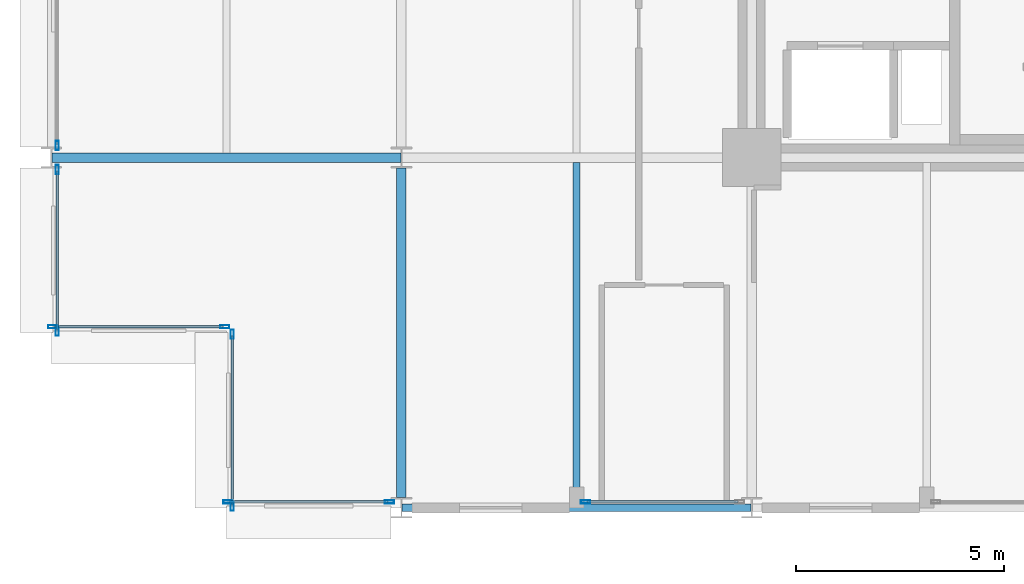
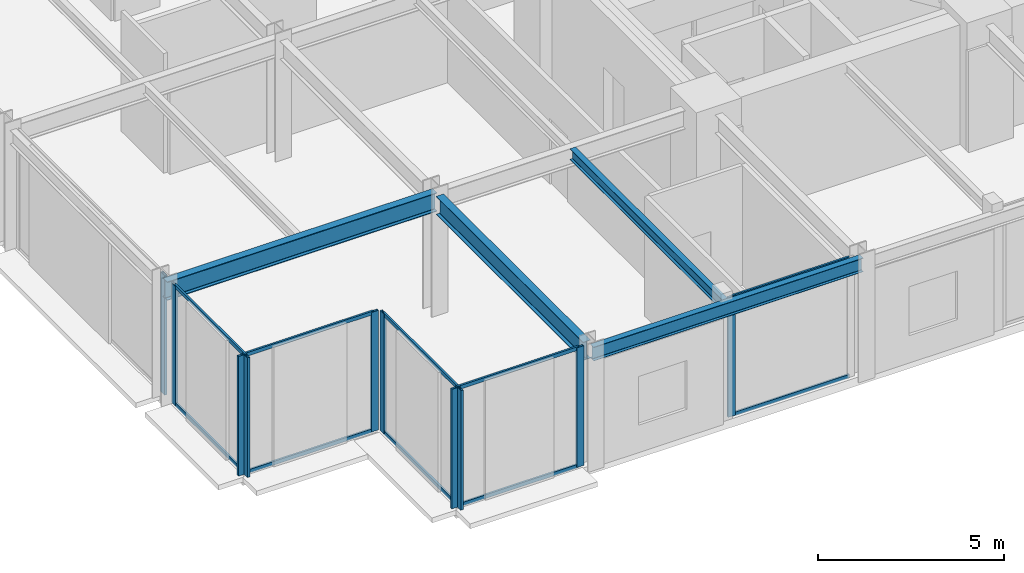
# One storey, part 2 of 25: 20 members, 4 beams, 6 elements without a shape of their own.
"""IFC4 building model written with IfcOpenShell, lengths in metres."""

from ifc_helpers import new_model, si_unit, direction, frame, origin, origin_2d, place, context, subcontext, project, spatial, hollow_rectangle, i_section, extrude, material, layer, layer_set, material_profile, profile_set, type_object, element, aggregate, save


model = new_model("IFC4")

# Units and contexts
model_context = context("Model", 3, precision=1e-05, world=origin(), true_north=direction((0.0, 1.0)))
body_context = subcontext(model_context, "Body", "Model", "MODEL_VIEW")
ifc_project = project(units=[si_unit("LENGTHUNIT", "METRE"), si_unit("AREAUNIT", "SQUARE_METRE"), si_unit("VOLUMEUNIT", "CUBIC_METRE"), si_unit("PLANEANGLEUNIT", "RADIAN"), si_unit("MASSUNIT", "GRAM", prefix="KILO")], contexts=[model_context])

# Site, building, storey
site_placement = place(None, origin())
site = spatial("IfcSite", under=ifc_project, at=site_placement, CompositionType="ELEMENT")
building_placement = place(site_placement, origin())
building = spatial("IfcBuilding", under=site, at=building_placement, Name="Nerrivon Quay Data Exchange", CompositionType="ELEMENT")
storey_placement = place(building_placement, frame((0.0, 0.0, 24.800048828125)))
storey = spatial("IfcBuildingStorey", under=building, at=storey_placement, Name="L05", CompositionType="ELEMENT", Elevation=24.800048828125)

# Beams
ifc_material_1 = material(Name="Steel Grade 350", Category="steel")
ifc_material_profile_1 = material_profile(ifc_material_1, i_section(OverallWidth=0.22900390625, OverallDepth=0.612060546875, WebThickness=0.011962890625, FlangeThickness=0.01953125, FilletRadius=0.013916015625, at=origin_2d()), Name="610UB125")
ifc_profile_set_1 = profile_set([ifc_material_profile_1], Name="Steel Grade 350")
beam_type_1 = type_object("IfcBeamType", Name="BM-G1-610UB125", PredefinedType="BEAM", material=ifc_profile_set_1)
beam_1_placement = place(storey_placement, frame((0.013916015625, 8.39990234375, 3.618896484375), z_axis=(1.0, 0.0, 0.0), x_axis=(0.0, 1.0, 0.0)))
element("IfcBeam", 1, at=beam_1_placement, inside=storey, type_object=beam_type_1, Name="L05 EW Girder Y=8.4 (0.0..8.4)", PredefinedType="BEAM", context=body_context, shape_type="SweptSolid", body=[
    extrude(i_section(OverallWidth=0.22900390625, OverallDepth=0.612060546875, WebThickness=0.011962890625, FlangeThickness=0.01953125, FilletRadius=0.013916015625, at=origin_2d()), origin(), (0.0, 0.0, 1.0), 8.3720703125),
])
ifc_material_profile_2 = material_profile(ifc_material_1, i_section(OverallWidth=0.22802734375, OverallDepth=0.60205078125, WebThickness=0.010498046875, FlangeThickness=0.014892578125, FilletRadius=0.013916015625, at=origin_2d()), Name="610UB101")
ifc_profile_set_2 = profile_set([ifc_material_profile_2], Name="Steel Grade 350")
beam_type_2 = type_object("IfcBeamType", Name="BM-G2-610UB101", PredefinedType="BEAM", material=ifc_profile_set_2)
beam_2_placement = place(storey_placement, frame((8.39990234375, 0.25, 3.6240234375), z_axis=(0.0, 1.0, 0.0), x_axis=(-1.0, 0.0, 0.0)))
element("IfcBeam", 2, at=beam_2_placement, inside=storey, type_object=beam_type_2, Name="L05 NS Girder X=8.4 (0.0..8.4)", PredefinedType="BEAM", context=body_context, shape_type="SweptSolid", body=[
    extrude(i_section(OverallWidth=0.22802734375, OverallDepth=0.60205078125, WebThickness=0.010498046875, FlangeThickness=0.014892578125, FilletRadius=0.013916015625, at=origin_2d()), origin(), (0.0, 0.0, 1.0), 7.89990234375),
])
ifc_material_profile_3 = material_profile(ifc_material_1, i_section(OverallWidth=0.172119140625, OverallDepth=0.35888671875, WebThickness=0.008056640625, FlangeThickness=0.012939453125, FilletRadius=0.011474609375, at=origin_2d()), Name="360UB56.7")
ifc_profile_set_3 = profile_set([ifc_material_profile_3], Name="Steel Grade 350")
beam_type_3 = type_object("IfcBeamType", Name="BM-J3-360UB57", PredefinedType="JOIST", material=ifc_profile_set_3)
beam_3_placement = place(storey_placement, frame((12.60009765625, 0.094970703125, 3.745361328125), z_axis=(0.0, 1.0, 0.0), x_axis=(-1.0, 0.0, 0.0)))
element("IfcBeam", 3, at=beam_3_placement, inside=storey, type_object=beam_type_3, Name="L05 Secondary Joist X=12.6 (0.0..8.4)", PredefinedType="JOIST", context=body_context, shape_type="SweptSolid", body=[
    extrude(i_section(OverallWidth=0.172119140625, OverallDepth=0.35888671875, WebThickness=0.008056640625, FlangeThickness=0.012939453125, FilletRadius=0.011474609375, at=origin_2d()), origin(), (0.0, 0.0, 1.0), 8.1904296875),
])
ifc_material_profile_4 = material_profile(ifc_material_1, i_section(OverallWidth=0.18994140625, OverallDepth=0.4541015625, WebThickness=0.008544921875, FlangeThickness=0.0126953125, FilletRadius=0.011474609375, at=origin_2d()), Name="460UB67.1")
ifc_profile_set_4 = profile_set([ifc_material_profile_4], Name="Steel Grade 350")
beam_type_4 = type_object("IfcBeamType", Name="BM-SP1-460UB67", PredefinedType="SPANDREL", material=ifc_profile_set_4)
beam_4_placement = place(storey_placement, frame((8.4140625, 0.0, 3.697998046875), z_axis=(1.0, 0.0, 0.0), x_axis=(0.0, 1.0, 0.0)))
element("IfcBeam", 4, at=beam_4_placement, inside=storey, type_object=beam_type_4, Name="L05 EW Girder Y=0.0 (8.4..16.8)", PredefinedType="SPANDREL", context=body_context, shape_type="SweptSolid", body=[
    extrude(i_section(OverallWidth=0.18994140625, OverallDepth=0.4541015625, WebThickness=0.008544921875, FlangeThickness=0.0126953125, FilletRadius=0.011474609375, at=origin_2d()), origin(), (0.0, 0.0, 1.0), 8.371826171875),
])

# Curtain wall, member
ifc_material_2 = material(Name="Anodised aluminium 6063-T6", Category="aluminium")
ifc_layer = layer(ifc_material_2, 0.219970703125)
ifc_layer_set = layer_set([ifc_layer], Name="Anodised aluminium 6063-T6")
curtain_wall_type = type_object("IfcCurtainWallType", Name="CW-SYS-01", PredefinedType="NOTDEFINED", material=ifc_layer_set)
curtain_wall_1_placement = place(storey_placement, origin())
curtain_wall_1 = element("IfcCurtainWall", 5, at=curtain_wall_1_placement, inside=storey, type_object=curtain_wall_type, Name="L05 Unitised Curtain Wall 8", PredefinedType="NOTDEFINED")
ifc_material_profile_5 = material_profile(ifc_material_2, hollow_rectangle(XDim=0.074951171875, YDim=0.219970703125, WallThickness=0.00390625, at=origin_2d()), Name="ALU-MULL-220x75")
ifc_profile_set_5 = profile_set([ifc_material_profile_5], Name="Anodised aluminium 6063-T6")
member_type_1 = type_object("IfcMemberType", Name="CWM-220x75", PredefinedType="MULLION", material=ifc_profile_set_5)
member_1_placement = place(storey_placement, frame((12.8125, 0.139892578125, 0.0), z_axis=(0.0, 0.0, 1.0), x_axis=(0.0, -1.0, 0.0)))
member_1 = element("IfcMember", 6, at=member_1_placement, type_object=member_type_1, Name="CW01 mullion 2", PredefinedType="MULLION", context=body_context, shape_type="SweptSolid", body=[
    extrude(hollow_rectangle(XDim=0.074951171875, YDim=0.219970703125, WallThickness=0.00390625, at=origin_2d()), origin(), (0.0, 0.0, 1.0), 3.925048828125),
])

# Curtain wall, members
curtain_wall_2_placement = place(storey_placement, origin())
curtain_wall_2 = element("IfcCurtainWall", 7, at=curtain_wall_2_placement, inside=storey, type_object=curtain_wall_type, Name="L05 Unitised Curtain Wall 10", PredefinedType="NOTDEFINED")
member_2_placement = place(storey_placement, frame((8.112548828125, 0.139892578125, 0.0), z_axis=(0.0, 0.0, 1.0), x_axis=(0.0, -1.0, 0.0)))
member_2 = element("IfcMember", 8, at=member_2_placement, type_object=member_type_1, Name="CW01 mullion 1", PredefinedType="MULLION", context=body_context, shape_type="SweptSolid", body=[
    extrude(hollow_rectangle(XDim=0.074951171875, YDim=0.219970703125, WallThickness=0.00390625, at=origin_2d()), origin(), (0.0, 0.0, 1.0), 3.925048828125),
])
member_3_placement = place(storey_placement, frame((4.237548828125, 0.139892578125, 0.0), z_axis=(0.0, 0.0, 1.0), x_axis=(0.0, -1.0, 0.0)))
member_3 = element("IfcMember", 9, at=member_3_placement, type_object=member_type_1, Name="CW01 mullion 2", PredefinedType="MULLION", context=body_context, shape_type="SweptSolid", body=[
    extrude(hollow_rectangle(XDim=0.074951171875, YDim=0.219970703125, WallThickness=0.00390625, at=origin_2d()), origin(), (0.0, 0.0, 1.0), 3.925048828125),
])

curtain_wall_3_placement = place(storey_placement, origin())
curtain_wall_3 = element("IfcCurtainWall", 10, at=curtain_wall_3_placement, inside=storey, type_object=curtain_wall_type, Name="L05 Unitised Curtain Wall 11", PredefinedType="NOTDEFINED")
member_4_placement = place(storey_placement, frame((4.340087890625, 0.03759765625, 0.0), z_axis=(0.0, 0.0, 1.0), x_axis=(-1.0, 0.0, 0.0)))
member_4 = element("IfcMember", 11, at=member_4_placement, type_object=member_type_1, Name="CW01 mullion 1", PredefinedType="MULLION", context=body_context, shape_type="SweptSolid", body=[
    extrude(hollow_rectangle(XDim=0.074951171875, YDim=0.219970703125, WallThickness=0.00390625, at=origin_2d()), origin(), (0.0, 0.0, 1.0), 3.925048828125),
])
member_5_placement = place(storey_placement, frame((4.340087890625, 4.16259765625, 0.0), z_axis=(0.0, 0.0, 1.0), x_axis=(-1.0, 0.0, 0.0)))
member_5 = element("IfcMember", 12, at=member_5_placement, type_object=member_type_1, Name="CW01 mullion 2", PredefinedType="MULLION", context=body_context, shape_type="SweptSolid", body=[
    extrude(hollow_rectangle(XDim=0.074951171875, YDim=0.219970703125, WallThickness=0.00390625, at=origin_2d()), origin(), (0.0, 0.0, 1.0), 3.925048828125),
])

curtain_wall_4_placement = place(storey_placement, origin())
curtain_wall_4 = element("IfcCurtainWall", 13, at=curtain_wall_4_placement, inside=storey, type_object=curtain_wall_type, Name="L05 Unitised Curtain Wall 12", PredefinedType="NOTDEFINED")
member_6_placement = place(storey_placement, frame((4.16259765625, 4.340087890625, 0.0), z_axis=(0.0, 0.0, 1.0), x_axis=(0.0, -1.0, 0.0)))
member_6 = element("IfcMember", 14, at=member_6_placement, type_object=member_type_1, Name="CW01 mullion 1", PredefinedType="MULLION", context=body_context, shape_type="SweptSolid", body=[
    extrude(hollow_rectangle(XDim=0.074951171875, YDim=0.219970703125, WallThickness=0.00390625, at=origin_2d()), origin(), (0.0, 0.0, 1.0), 3.925048828125),
])
member_7_placement = place(storey_placement, frame((0.03759765625, 4.340087890625, 0.0), z_axis=(0.0, 0.0, 1.0), x_axis=(0.0, -1.0, 0.0)))
member_7 = element("IfcMember", 15, at=member_7_placement, type_object=member_type_1, Name="CW01 mullion 2", PredefinedType="MULLION", context=body_context, shape_type="SweptSolid", body=[
    extrude(hollow_rectangle(XDim=0.074951171875, YDim=0.219970703125, WallThickness=0.00390625, at=origin_2d()), origin(), (0.0, 0.0, 1.0), 3.925048828125),
])

curtain_wall_5_placement = place(storey_placement, origin())
curtain_wall_5 = element("IfcCurtainWall", 16, at=curtain_wall_5_placement, inside=storey, type_object=curtain_wall_type, Name="L05 Unitised Curtain Wall 13", PredefinedType="NOTDEFINED")
member_8_placement = place(storey_placement, frame((0.139892578125, 4.237548828125, 0.0), z_axis=(0.0, 0.0, 1.0), x_axis=(-1.0, 0.0, 0.0)))
member_8 = element("IfcMember", 17, at=member_8_placement, type_object=member_type_1, Name="CW01 mullion 1", PredefinedType="MULLION", context=body_context, shape_type="SweptSolid", body=[
    extrude(hollow_rectangle(XDim=0.074951171875, YDim=0.219970703125, WallThickness=0.00390625, at=origin_2d()), origin(), (0.0, 0.0, 1.0), 3.925048828125),
])
member_9_placement = place(storey_placement, frame((0.139892578125, 8.112548828125, 0.0), z_axis=(0.0, 0.0, 1.0), x_axis=(-1.0, 0.0, 0.0)))
member_9 = element("IfcMember", 18, at=member_9_placement, type_object=member_type_1, Name="CW01 mullion 2", PredefinedType="MULLION", context=body_context, shape_type="SweptSolid", body=[
    extrude(hollow_rectangle(XDim=0.074951171875, YDim=0.219970703125, WallThickness=0.00390625, at=origin_2d()), origin(), (0.0, 0.0, 1.0), 3.925048828125),
])

# Curtain wall, member
curtain_wall_6_placement = place(storey_placement, origin())
curtain_wall_6 = element("IfcCurtainWall", 19, at=curtain_wall_6_placement, inside=storey, type_object=curtain_wall_type, Name="L05 Unitised Curtain Wall 14", PredefinedType="NOTDEFINED")
member_10_placement = place(storey_placement, frame((0.139892578125, 8.6875, 0.0), z_axis=(0.0, 0.0, 1.0), x_axis=(-1.0, 0.0, 0.0)))
member_10 = element("IfcMember", 20, at=member_10_placement, type_object=member_type_1, Name="CW01 mullion 1", PredefinedType="MULLION", context=body_context, shape_type="SweptSolid", body=[
    extrude(hollow_rectangle(XDim=0.074951171875, YDim=0.219970703125, WallThickness=0.00390625, at=origin_2d()), origin(), (0.0, 0.0, 1.0), 3.925048828125),
])
aggregate(curtain_wall_6, [member_10])

# Member
ifc_material_profile_6 = material_profile(ifc_material_2, hollow_rectangle(XDim=0.06005859375, YDim=0.1201171875, WallThickness=0.003173828125, at=origin_2d()), Name="ALU-TRAN-120x60")
ifc_profile_set_6 = profile_set([ifc_material_profile_6], Name="Anodised aluminium 6063-T6")
member_type_2 = type_object("IfcMemberType", Name="CWT-120x60", PredefinedType="USERDEFINED", material=ifc_profile_set_6)
member_11_placement = place(storey_placement, frame((16.47509765625, 0.139892578125, 0.032470703125), z_axis=(-1.0, 0.0, 0.0), x_axis=(0.0, -1.0, 0.0)))
member_11 = element("IfcMember", 21, at=member_11_placement, type_object=member_type_2, Name="CW01 transom 1.1", ObjectType="TRANSOM", PredefinedType="USERDEFINED", context=body_context, shape_type="SweptSolid", body=[
    extrude(hollow_rectangle(XDim=0.06005859375, YDim=0.1201171875, WallThickness=0.003173828125, at=origin_2d()), origin(), (0.0, 0.0, 1.0), 3.625),
])

member_12_placement = place(storey_placement, frame((16.47509765625, 0.139892578125, 3.892333984375), z_axis=(-1.0, 0.0, 0.0), x_axis=(0.0, -1.0, 0.0)))
member_12 = element("IfcMember", 22, at=member_12_placement, type_object=member_type_2, Name="CW01 transom 1.2", ObjectType="TRANSOM", PredefinedType="USERDEFINED", context=body_context, shape_type="SweptSolid", body=[
    extrude(hollow_rectangle(XDim=0.06005859375, YDim=0.1201171875, WallThickness=0.003173828125, at=origin_2d()), origin(), (0.0, 0.0, 1.0), 3.625),
])

aggregate(curtain_wall_1, [member_1, member_11, member_12])

member_13_placement = place(storey_placement, frame((8.074951171875, 0.139892578125, 0.032470703125), z_axis=(-1.0, 0.0, 0.0), x_axis=(0.0, -1.0, 0.0)))
member_13 = element("IfcMember", 23, at=member_13_placement, type_object=member_type_2, Name="CW01 transom 1.1", ObjectType="TRANSOM", PredefinedType="USERDEFINED", context=body_context, shape_type="SweptSolid", body=[
    extrude(hollow_rectangle(XDim=0.06005859375, YDim=0.1201171875, WallThickness=0.003173828125, at=origin_2d()), origin(), (0.0, 0.0, 1.0), 3.800048828125),
])

member_14_placement = place(storey_placement, frame((8.074951171875, 0.139892578125, 3.892333984375), z_axis=(-1.0, 0.0, 0.0), x_axis=(0.0, -1.0, 0.0)))
member_14 = element("IfcMember", 24, at=member_14_placement, type_object=member_type_2, Name="CW01 transom 1.2", ObjectType="TRANSOM", PredefinedType="USERDEFINED", context=body_context, shape_type="SweptSolid", body=[
    extrude(hollow_rectangle(XDim=0.06005859375, YDim=0.1201171875, WallThickness=0.003173828125, at=origin_2d()), origin(), (0.0, 0.0, 1.0), 3.800048828125),
])

aggregate(curtain_wall_2, [member_2, member_3, member_13, member_14])

member_15_placement = place(storey_placement, frame((4.340087890625, 0.074951171875, 0.032470703125), z_axis=(0.0, 1.0, 0.0), x_axis=(-1.0, 0.0, 0.0)))
member_15 = element("IfcMember", 25, at=member_15_placement, type_object=member_type_2, Name="CW01 transom 1.1", ObjectType="TRANSOM", PredefinedType="USERDEFINED", context=body_context, shape_type="SweptSolid", body=[
    extrude(hollow_rectangle(XDim=0.06005859375, YDim=0.1201171875, WallThickness=0.003173828125, at=origin_2d()), origin(), (0.0, 0.0, 1.0), 4.050048828125),
])

member_16_placement = place(storey_placement, frame((4.340087890625, 0.074951171875, 3.892333984375), z_axis=(0.0, 1.0, 0.0), x_axis=(-1.0, 0.0, 0.0)))
member_16 = element("IfcMember", 26, at=member_16_placement, type_object=member_type_2, Name="CW01 transom 1.2", ObjectType="TRANSOM", PredefinedType="USERDEFINED", context=body_context, shape_type="SweptSolid", body=[
    extrude(hollow_rectangle(XDim=0.06005859375, YDim=0.1201171875, WallThickness=0.003173828125, at=origin_2d()), origin(), (0.0, 0.0, 1.0), 4.050048828125),
])

aggregate(curtain_wall_3, [member_4, member_5, member_15, member_16])

member_17_placement = place(storey_placement, frame((4.125, 4.340087890625, 0.032470703125), z_axis=(-1.0, 0.0, 0.0), x_axis=(0.0, -1.0, 0.0)))
member_17 = element("IfcMember", 27, at=member_17_placement, type_object=member_type_2, Name="CW01 transom 1.1", ObjectType="TRANSOM", PredefinedType="USERDEFINED", context=body_context, shape_type="SweptSolid", body=[
    extrude(hollow_rectangle(XDim=0.06005859375, YDim=0.1201171875, WallThickness=0.003173828125, at=origin_2d()), origin(), (0.0, 0.0, 1.0), 4.050048828125),
])

member_18_placement = place(storey_placement, frame((4.125, 4.340087890625, 3.892333984375), z_axis=(-1.0, 0.0, 0.0), x_axis=(0.0, -1.0, 0.0)))
member_18 = element("IfcMember", 28, at=member_18_placement, type_object=member_type_2, Name="CW01 transom 1.2", ObjectType="TRANSOM", PredefinedType="USERDEFINED", context=body_context, shape_type="SweptSolid", body=[
    extrude(hollow_rectangle(XDim=0.06005859375, YDim=0.1201171875, WallThickness=0.003173828125, at=origin_2d()), origin(), (0.0, 0.0, 1.0), 4.050048828125),
])

aggregate(curtain_wall_4, [member_6, member_7, member_17, member_18])

member_19_placement = place(storey_placement, frame((0.139892578125, 4.27490234375, 0.032470703125), z_axis=(0.0, 1.0, 0.0), x_axis=(-1.0, 0.0, 0.0)))
member_19 = element("IfcMember", 29, at=member_19_placement, type_object=member_type_2, Name="CW01 transom 1.1", ObjectType="TRANSOM", PredefinedType="USERDEFINED", context=body_context, shape_type="SweptSolid", body=[
    extrude(hollow_rectangle(XDim=0.06005859375, YDim=0.1201171875, WallThickness=0.003173828125, at=origin_2d()), origin(), (0.0, 0.0, 1.0), 3.800048828125),
])

member_20_placement = place(storey_placement, frame((0.139892578125, 4.27490234375, 3.892333984375), z_axis=(0.0, 1.0, 0.0), x_axis=(-1.0, 0.0, 0.0)))
member_20 = element("IfcMember", 30, at=member_20_placement, type_object=member_type_2, Name="CW01 transom 1.2", ObjectType="TRANSOM", PredefinedType="USERDEFINED", context=body_context, shape_type="SweptSolid", body=[
    extrude(hollow_rectangle(XDim=0.06005859375, YDim=0.1201171875, WallThickness=0.003173828125, at=origin_2d()), origin(), (0.0, 0.0, 1.0), 3.800048828125),
])

aggregate(curtain_wall_5, [member_8, member_9, member_19, member_20])

save(model, "model.ifc")
